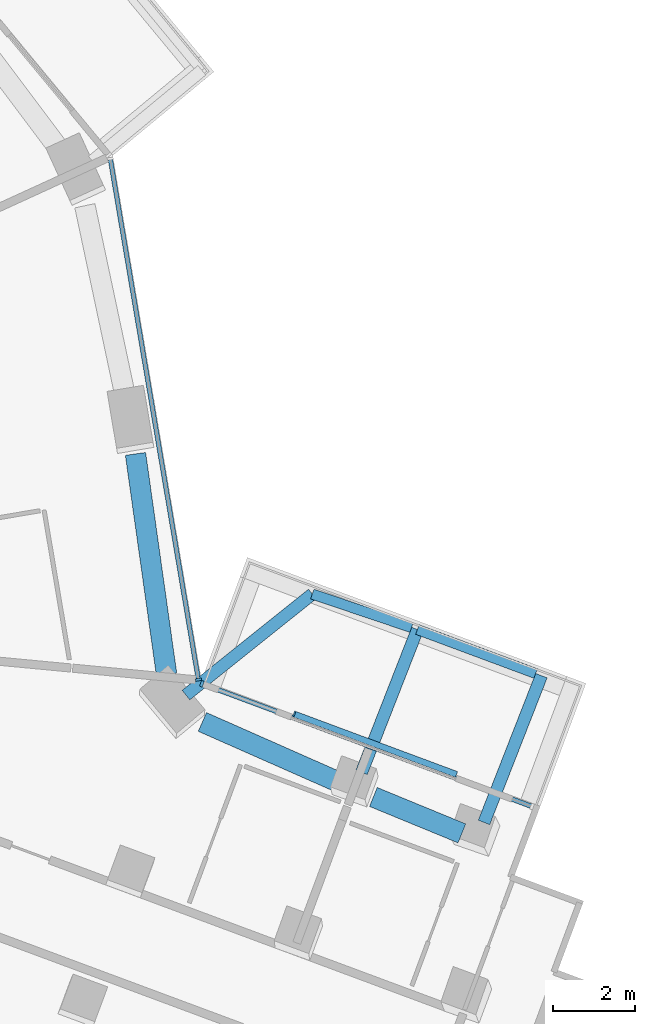
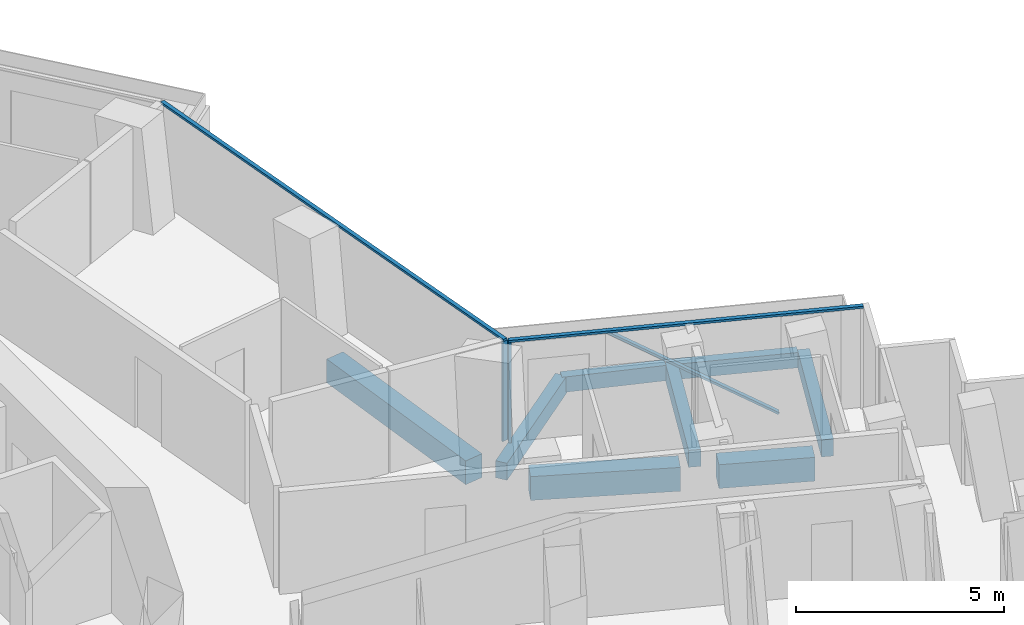
# One storey, part 6 of 27: 8 beams, 5 members, 2 elements without a shape of their own.
"""IFC4 building model written with IfcOpenShell, lengths in metres."""

from ifc_helpers import new_model, si_unit, direction, frame, origin, origin_2d, place, context, subcontext, project, spatial, rectangle, extrude, material, layer, layer_set, material_profile, profile_set, type_object, element, aggregate, save


model = new_model("IFC4")

# Units and contexts
model_context = context("Model", 3, precision=1e-05, world=origin(), true_north=direction((0.0, 1.0)))
body_context = subcontext(model_context, "Body", "Model", "MODEL_VIEW")
ifc_project = project(units=[si_unit("LENGTHUNIT", "METRE"), si_unit("AREAUNIT", "SQUARE_METRE"), si_unit("VOLUMEUNIT", "CUBIC_METRE"), si_unit("PLANEANGLEUNIT", "RADIAN"), si_unit("MASSUNIT", "GRAM", prefix="KILO")], contexts=[model_context])

# Site, building, storey
site_placement = place(None, origin())
site = spatial("IfcSite", under=ifc_project, at=site_placement, CompositionType="ELEMENT")
building_placement = place(site_placement, origin())
building = spatial("IfcBuilding", under=site, at=building_placement, Name="Verdalira Terraces Hotel", CompositionType="ELEMENT")
storey_placement = place(building_placement, frame((0.0, 0.0, 71.5)))
storey = spatial("IfcBuildingStorey", under=building, at=storey_placement, Name="L16", CompositionType="ELEMENT", Elevation=71.5)

# Beams
ifc_material_1 = material(Name="Concrete C40", Category="concrete")
ifc_material_profile_1 = material_profile(ifc_material_1, rectangle(XDim=0.300049, YDim=0.5, at=origin_2d()), Name="RC 300X500")
ifc_profile_set_1 = profile_set([ifc_material_profile_1], Name="Concrete C40")
beam_type_1 = type_object("IfcBeamType", Name="Balcony cantilever beam RC 300X500 C40", PredefinedType="BEAM", material=ifc_profile_set_1)
beam_1_placement = place(storey_placement, frame((31.896973, -5.832275, -0.560059), z_axis=(0.364172121, 0.931331663, 0.0), x_axis=(-0.931331663, 0.364172121, 0.0)))
element("IfcBeam", 1, at=beam_1_placement, inside=storey, type_object=beam_type_1, Name="Balcony cantilever beam R38-1", PredefinedType="BEAM", context=body_context, shape_type="SweptSolid", body=[
    extrude(rectangle(XDim=0.300049, YDim=0.5, at=origin_2d()), origin(), (0.0, 0.0, 1.0), 3.848877),
])
beam_2_placement = place(storey_placement, frame((28.907715, -4.608398, -0.560059), z_axis=(0.364239507, 0.931305311, 0.0), x_axis=(-0.931305311, 0.364239507, 0.0)))
element("IfcBeam", 2, at=beam_2_placement, inside=storey, type_object=beam_type_1, Name="Balcony cantilever beam R38-2", PredefinedType="BEAM", context=body_context, shape_type="SweptSolid", body=[
    extrude(rectangle(XDim=0.300049, YDim=0.5, at=origin_2d()), origin(), (0.0, 0.0, 1.0), 3.743408),
])
beam_3_placement = place(storey_placement, frame((24.619873, -2.721924, -0.560059), z_axis=(0.781097908, 0.624408567, 0.0), x_axis=(-0.624408567, 0.781097908, 0.0)))
element("IfcBeam", 3, at=beam_3_placement, inside=storey, type_object=beam_type_1, Name="Balcony cantilever beam R38-3", PredefinedType="BEAM", context=body_context, shape_type="SweptSolid", body=[
    extrude(rectangle(XDim=0.300049, YDim=0.5, at=origin_2d()), origin(), (0.0, 0.0, 1.0), 3.949951),
])
ifc_material_2 = material(Name="Concrete C40", Category="concrete")
ifc_material_profile_2 = material_profile(ifc_material_2, rectangle(XDim=0.25, YDim=0.449951, at=origin_2d()), Name="RC 250X450")
ifc_profile_set_2 = profile_set([ifc_material_profile_2], Name="Concrete C40")
beam_type_2 = type_object("IfcBeamType", Name="Balcony edge beam RC 250X450 C40", PredefinedType="BEAM", material=ifc_profile_set_2)
beam_4_placement = place(storey_placement, frame((33.157959, -2.195557, -0.534912), z_axis=(-0.937289919, 0.348550725, 0.0), x_axis=(-0.348550725, -0.937289919, 0.0)))
element("IfcBeam", 4, at=beam_4_placement, inside=storey, type_object=beam_type_2, Name="Balcony edge beam R38-1", PredefinedType="BEAM", context=body_context, shape_type="SweptSolid", body=[
    extrude(rectangle(XDim=0.25, YDim=0.449951, at=origin_2d()), origin(), (0.0, 0.0, 1.0), 3.079834),
])
beam_5_placement = place(storey_placement, frame((30.128906, -1.073975, -0.534912), z_axis=(-0.947454683, 0.319890018, 0.0), x_axis=(-0.319890018, -0.947454683, 0.0)))
element("IfcBeam", 5, at=beam_5_placement, inside=storey, type_object=beam_type_2, Name="Balcony edge beam R38-2", PredefinedType="BEAM", context=body_context, shape_type="SweptSolid", body=[
    extrude(rectangle(XDim=0.25, YDim=0.449951, at=origin_2d()), origin(), (0.0, 0.0, 1.0), 2.55835),
])

# Curtain wall, members
ifc_material_3 = material(Name="Clear glass", Category="glass")
ifc_layer_1 = layer(ifc_material_3, 0.14990234375)
ifc_layer_set_1 = layer_set([ifc_layer_1], Name="CW1 curtain wall")
curtain_wall_type_1 = type_object("IfcCurtainWallType", Name="CW1 curtain wall", PredefinedType="NOTDEFINED", material=ifc_layer_set_1)
curtain_wall_1_placement = place(storey_placement, origin())
curtain_wall_1 = element("IfcCurtainWall", 6, at=curtain_wall_1_placement, inside=storey, type_object=curtain_wall_type_1, Name="CW1 curtain wall L16 edge 39", PredefinedType="NOTDEFINED")
ifc_material_4 = material(Name="Terracotta frame", Category="masonry")
ifc_material_profile_3 = material_profile(ifc_material_4, rectangle(XDim=0.060059, YDim=0.149902, at=origin_2d()), Name="MU 60x150")
ifc_profile_set_3 = profile_set([ifc_material_profile_3], Name="Terracotta frame")
member_type_1 = type_object("IfcMemberType", Name="CW1 mullion 60x150", PredefinedType="MULLION", material=ifc_profile_set_3)
member_1_placement = place(storey_placement, frame((24.923584, -2.346436, 0.0), z_axis=(0.0, 0.0, 1.0), x_axis=(-0.166768747, 0.985996037, 0.0)))
member_1 = element("IfcMember", 7, at=member_1_placement, type_object=member_type_1, Name="CW1 mullion", PredefinedType="MULLION", context=body_context, shape_type="SweptSolid", body=[
    extrude(rectangle(XDim=0.060059, YDim=0.149902, at=origin_2d()), origin(), (0.0, 0.0, 1.0), 2.935059),
])
ifc_material_5 = material(Name="Terracotta frame", Category="masonry")
ifc_material_profile_4 = material_profile(ifc_material_5, rectangle(XDim=0.110107, YDim=0.064941, at=origin_2d()), Name="TR 65x110")
ifc_profile_set_4 = profile_set([ifc_material_profile_4], Name="Terracotta frame")
member_type_2 = type_object("IfcMemberType", Name="CW1 transom 65x110", PredefinedType="USERDEFINED", material=ifc_profile_set_4)
member_2_placement = place(storey_placement, frame((24.928711, -2.375977, 2.967529), z_axis=(-0.166775187, 0.985994948, 0.0), x_axis=(-0.985994948, -0.166775187, 0.0)))
member_2 = element("IfcMember", 8, at=member_2_placement, type_object=member_type_2, Name="CW1 transom", ObjectType="TRANSOM", PredefinedType="USERDEFINED", context=body_context, shape_type="SweptSolid", body=[
    extrude(rectangle(XDim=0.110107, YDim=0.064941, at=origin_2d()), origin(), (0.0, 0.0, 1.0), 12.959717),
])
aggregate(curtain_wall_1, [member_1, member_2])

ifc_material_6 = material(Name="Clear glass", Category="glass")
ifc_layer_2 = layer(ifc_material_6, 0.14990234375)
ifc_layer_set_2 = layer_set([ifc_layer_2], Name="CW2 curtain wall")
curtain_wall_type_2 = type_object("IfcCurtainWallType", Name="CW2 curtain wall", PredefinedType="NOTDEFINED", material=ifc_layer_set_2)
curtain_wall_2_placement = place(storey_placement, origin())
curtain_wall_2 = element("IfcCurtainWall", 9, at=curtain_wall_2_placement, inside=storey, type_object=curtain_wall_type_2, Name="CW2 curtain wall L16 edge 38", PredefinedType="NOTDEFINED")
ifc_material_7 = material(Name="Terracotta frame", Category="masonry")
ifc_material_profile_5 = material_profile(ifc_material_7, rectangle(XDim=0.070068, YDim=0.149902, at=origin_2d()), Name="MU 70x150")
ifc_profile_set_5 = profile_set([ifc_material_profile_5], Name="Terracotta frame")
member_type_3 = type_object("IfcMemberType", Name="CW2 mullion 70x150", PredefinedType="MULLION", material=ifc_profile_set_5)
member_3_placement = place(storey_placement, frame((25.009277, -2.446045, 0.0), z_axis=(0.0, 0.0, 1.0), x_axis=(-0.937281989, 0.348572047, 0.0)))
member_3 = element("IfcMember", 10, at=member_3_placement, type_object=member_type_3, Name="CW2 mullion", PredefinedType="MULLION", context=body_context, shape_type="SweptSolid", body=[
    extrude(rectangle(XDim=0.070068, YDim=0.149902, at=origin_2d()), origin(), (0.0, 0.0, 1.0), 2.935059),
])
ifc_material_8 = material(Name="Terracotta frame", Category="masonry")
ifc_material_profile_6 = material_profile(ifc_material_8, rectangle(XDim=0.11499, YDim=0.064941, at=origin_2d()), Name="TR 65x115")
ifc_profile_set_6 = profile_set([ifc_material_profile_6], Name="Terracotta frame")
member_type_4 = type_object("IfcMemberType", Name="CW2 transom 65x115", PredefinedType="USERDEFINED", material=ifc_profile_set_6)
member_4_placement = place(storey_placement, frame((33.102539, -5.455811, 2.967529), z_axis=(-0.937283909, 0.348566886, 0.0), x_axis=(-0.348566886, -0.937283909, 0.0)))
member_4 = element("IfcMember", 11, at=member_4_placement, type_object=member_type_4, Name="CW2 transom", ObjectType="TRANSOM", PredefinedType="USERDEFINED", context=body_context, shape_type="SweptSolid", body=[
    extrude(rectangle(XDim=0.11499, YDim=0.064941, at=origin_2d()), origin(), (0.0, 0.0, 1.0), 8.669678),
])
ifc_material_9 = material(Name="Terracotta frame", Category="masonry")
ifc_material_profile_7 = material_profile(ifc_material_9, rectangle(XDim=0.149902, YDim=0.060059, at=origin_2d()), Name="GB 60x150")
ifc_profile_set_7 = profile_set([ifc_material_profile_7], Name="Terracotta frame")
member_type_5 = type_object("IfcMemberType", Name="Diagonal glazing bar 60x150", PredefinedType="USERDEFINED", material=ifc_profile_set_7)
member_5_placement = place(storey_placement, frame((31.209717, -4.654785, 0.025879), z_axis=(-0.773238269, 0.287559646, 0.565165488), x_axis=(-0.348566629, -0.937284005, 0.0)))
member_5 = element("IfcMember", 12, at=member_5_placement, type_object=member_type_5, Name="Diagonal glazing bar", ObjectType="GLAZING BAR", PredefinedType="USERDEFINED", context=body_context, shape_type="SweptSolid", body=[
    extrude(rectangle(XDim=0.149902, YDim=0.060059, at=origin_2d()), origin(), (0.0, 0.0, 1.0), 5.101807),
])
aggregate(curtain_wall_2, [member_3, member_4, member_5])

# Beams
ifc_material_10 = material(Name="Concrete C70", Category="concrete")
ifc_material_profile_8 = material_profile(ifc_material_10, rectangle(XDim=0.5, YDim=0.699951, at=origin_2d()), Name="RC 500X700")
ifc_profile_set_8 = profile_set([ifc_material_profile_8], Name="Concrete C70")
beam_type_3 = type_object("IfcBeamType", Name="Spandrel beam RC 500X700 C70", PredefinedType="SPANDREL", material=ifc_profile_set_8)
beam_6_placement = place(storey_placement, frame((31.356934, -6.099365, -0.659912), z_axis=(-0.924853227, 0.380324215, 0.0), x_axis=(-0.380324215, -0.924853227, 0.0)))
element("IfcBeam", 13, at=beam_6_placement, inside=storey, type_object=beam_type_3, Name="Spandrel beam B28", PredefinedType="SPANDREL", context=body_context, shape_type="SweptSolid", body=[
    extrude(rectangle(XDim=0.5, YDim=0.699951, at=origin_2d()), origin(), (0.0, 0.0, 1.0), 2.337158),
])
beam_7_placement = place(storey_placement, frame((28.345703, -4.8479, -0.659912), z_axis=(-0.914668125, 0.404205667, 0.0), x_axis=(-0.404205667, -0.914668125, 0.0)))
element("IfcBeam", 14, at=beam_7_placement, inside=storey, type_object=beam_type_3, Name="Spandrel beam B29", PredefinedType="SPANDREL", context=body_context, shape_type="SweptSolid", body=[
    extrude(rectangle(XDim=0.5, YDim=0.699951, at=origin_2d()), origin(), (0.0, 0.0, 1.0), 3.634766),
])
beam_8_placement = place(storey_placement, frame((24.146973, -2.220215, -0.659912), z_axis=(-0.13955469, 0.990214365, 0.0), x_axis=(-0.990214365, -0.13955469, 0.0)))
element("IfcBeam", 15, at=beam_8_placement, inside=storey, type_object=beam_type_3, Name="Spandrel beam B30", PredefinedType="SPANDREL", context=body_context, shape_type="SweptSolid", body=[
    extrude(rectangle(XDim=0.5, YDim=0.699951, at=origin_2d()), origin(), (0.0, 0.0, 1.0), 5.438965),
])

save(model, "model.ifc")
